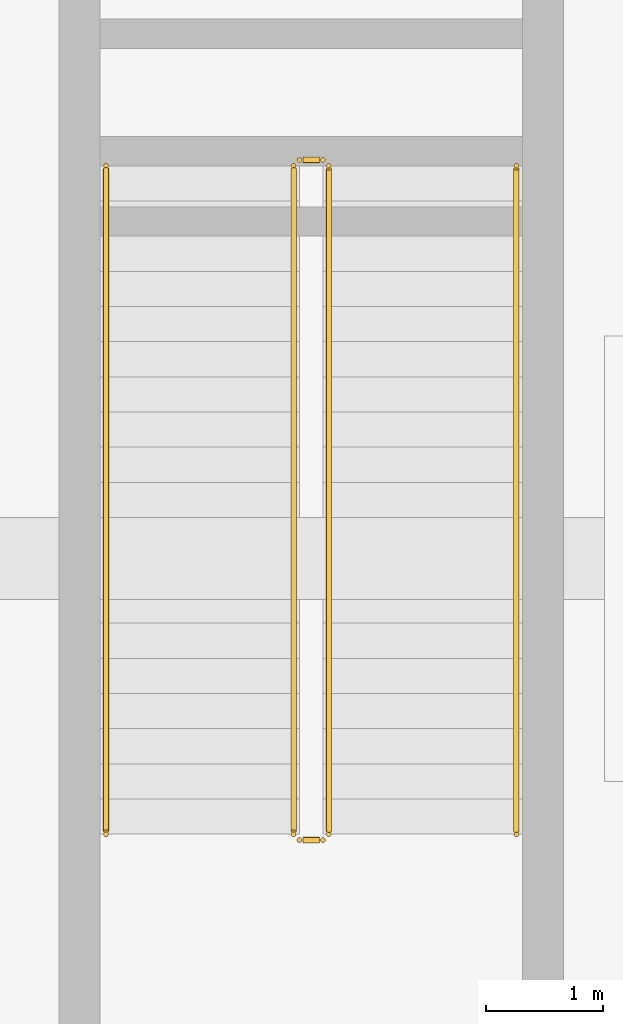
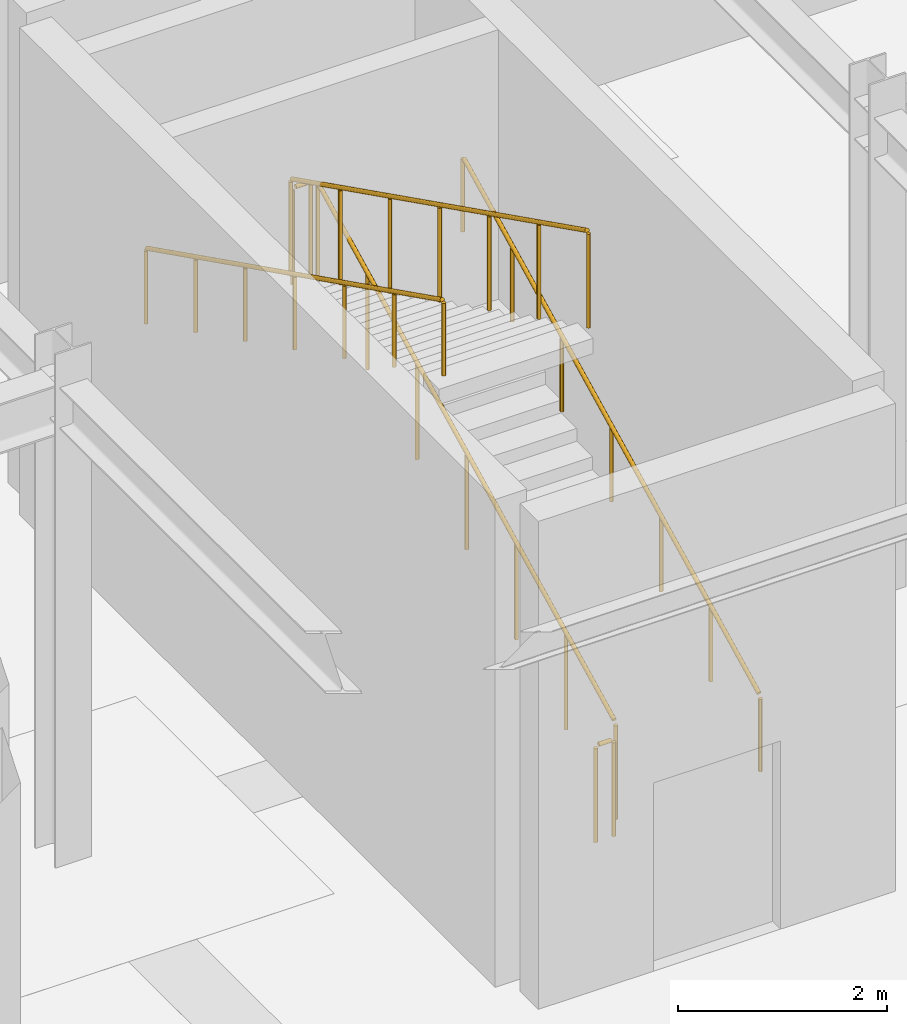
# One storey, part 35 of 36: 6 railings.
"""IFC4 building model written with IfcOpenShell, lengths in metres."""

import ifcopenshell
import ifcopenshell.guid

model = None  # the IFC model being written
_history = None  # IfcOwnerHistory: only IFC2X3 demands one
_inside = {}  # id of a spatial element -> (the spatial element, [elements in it])
_under = {}  # id of a project, library or spatial element -> (it, [spatial elements below it])
_declared = {}  # id of a project -> (the project, [libraries it declares])
_typed = {}  # id of a type object -> (the type object, [elements of that type])
_made_of = {}  # id of a material, layer set ... -> (it, [elements and type objects made of it])


def new_model(schema):
    """Start an empty IFC model of exactly this schema.

    Asked for "IFC4X3", IfcOpenShell would pick the latest addendum, in which some entities
    have other attributes; the version numbers below select the first issue.
    IFC2X3 requires an IfcOwnerHistory on every rooted entity: one is made here for all.
    """
    global model, _history
    if schema == "IFC4X3":
        model = ifcopenshell.file(schema_version=(4, 3, 0, 0))
    else:
        model = ifcopenshell.file(schema=schema)
    _inside.clear()
    _under.clear()
    _declared.clear()
    _typed.clear()
    _made_of.clear()
    _history = None
    if model.schema == "IFC2X3":
        org = make("IfcOrganization", Name="unknown")
        user = make(
            "IfcPersonAndOrganization",
            ThePerson=make("IfcPerson", FamilyName="unknown"),
            TheOrganization=org,
        )
        app = make(
            "IfcApplication",
            ApplicationDeveloper=org,
            Version="unknown",
            ApplicationFullName="unknown",
            ApplicationIdentifier="unknown",
        )
        _history = make(
            "IfcOwnerHistory",
            OwningUser=user,
            OwningApplication=app,
            ChangeAction="ADDED",
            CreationDate=0,
        )
    return model


def make(cls, **values):
    """One entity of the class cls with the attributes given. An attribute that is None is left unset."""
    return model.create_entity(
        cls, **{name: value for name, value in values.items() if value is not None}
    )


def rooted(cls, **values):
    """An entity with a GlobalId (a new one), such as an element, a storey or a relation."""
    return make(cls, GlobalId=ifcopenshell.guid.new(), OwnerHistory=_history, **values)


def si_unit(unit_type, name, prefix=None):
    """IfcSIUnit, for example si_unit("LENGTHUNIT", "METRE", prefix="MILLI")."""
    return make("IfcSIUnit", UnitType=unit_type, Prefix=prefix, Name=name)


def assignment(units):
    """IfcUnitAssignment: the units of a project."""
    return None if units is None else make("IfcUnitAssignment", Units=units)


def point(xyz):
    """IfcCartesianPoint."""
    return None if xyz is None else make("IfcCartesianPoint", Coordinates=xyz)


def direction(xyz):
    """IfcDirection."""
    return None if xyz is None else make("IfcDirection", DirectionRatios=xyz)


def frame(location, z_axis=None, x_axis=None):
    """IfcAxis2Placement3D, a coordinate frame: its origin and axes. An axis left out is left unset."""
    return make(
        "IfcAxis2Placement3D",
        Location=point(location),
        Axis=direction(z_axis),
        RefDirection=direction(x_axis),
    )


def frame_2d(location, x_axis=None):
    """IfcAxis2Placement2D, a coordinate frame in the plane: its origin and x axis."""
    return make(
        "IfcAxis2Placement2D", Location=point(location), RefDirection=direction(x_axis)
    )


def origin():
    """The frame at (0, 0, 0) with its axes left unset."""
    return frame((0.0, 0.0, 0.0))


def origin_2d():
    """The frame at (0, 0) in the plane with its x axis left unset."""
    return frame_2d((0.0, 0.0))


def place(relative_to, where):
    """IfcLocalPlacement: puts the frame where relative to a parent placement (None: the world)."""
    return make(
        "IfcLocalPlacement", PlacementRelTo=relative_to, RelativePlacement=where
    )


def context(
    kind, dimensions, precision=None, world=None, true_north=None, identifier=None
):
    """IfcGeometricRepresentationContext, for example the 3D "Model" context."""
    return make(
        "IfcGeometricRepresentationContext",
        ContextIdentifier=identifier,
        ContextType=kind,
        CoordinateSpaceDimension=dimensions,
        Precision=precision,
        WorldCoordinateSystem=world,
        TrueNorth=true_north,
    )


def subcontext(parent, identifier, kind, view, scale=None):
    """IfcGeometricRepresentationSubContext, for example "Body" below "Model"."""
    return make(
        "IfcGeometricRepresentationSubContext",
        ContextIdentifier=identifier,
        ContextType=kind,
        ParentContext=parent,
        TargetScale=scale,
        TargetView=view,
    )


def project(units=None, contexts=None):
    """IfcProject with its units and contexts."""
    return rooted(
        "IfcProject",
        Name="project",
        RepresentationContexts=contexts,
        UnitsInContext=assignment(units),
    )


def spatial(cls, under=None, at=None, **own):
    """A site, building, storey or space (cls), placed at a placement, below another one or the project."""
    s = rooted(cls, ObjectPlacement=at, **own)
    if under is not None:
        _under.setdefault(under.id(), (under, []))[1].append(s)
    return s


def profile(cls, at=None, kind="AREA", **sizes):
    """A parametric profile (cls). Its sizes go by their IFC names, for example OverallWidth=200.0."""
    return make(cls, ProfileType=kind, Position=at, **sizes)


def circle(**sizes):
    """IfcCircleProfileDef."""
    return profile("IfcCircleProfileDef", **sizes)


def extrude(swept, where, along, depth):
    """IfcExtrudedAreaSolid: the profile swept, set in the frame where, extruded along a direction by depth."""
    return make(
        "IfcExtrudedAreaSolid",
        SweptArea=swept,
        Position=where,
        ExtrudedDirection=direction(along),
        Depth=depth,
    )


def shape(context_of_items, identifier, shape_type, items):
    """IfcShapeRepresentation: the items that make up one representation, for example the "Body"."""
    return make(
        "IfcShapeRepresentation",
        ContextOfItems=context_of_items,
        RepresentationIdentifier=identifier,
        RepresentationType=shape_type,
        Items=items,
    )


def material(Name=None, Category=None):
    """IfcMaterial."""
    return make("IfcMaterial", Name=Name, Category=Category)


def made_of(thing, what):
    """Note that an element or type object is made of a material, layer set ...; save() writes the relation."""
    if what is not None:
        _made_of.setdefault(what.id(), (what, []))[1].append(thing)
    return thing


def type_object(cls, material=None, **own):
    """A type object (cls), such as IfcWallType, which elements share."""
    return made_of(rooted(cls, **own), material)


def element(
    cls,
    number,
    at=None,
    inside=None,
    cuts=None,
    type_object=None,
    material=None,
    context=None,
    identifier="Body",
    shape_type=None,
    held_by="IfcProductDefinitionShape",
    body=None,
    shapes=None,
    **own,
):
    """One element of the class cls, such as IfcWall. Its Tag is "e" and its number.

    at: its placement. inside: the storey or other place that contains it. cuts: it is an
    opening in that element (IfcRelVoidsElement). A single representation is given by context,
    identifier, shape_type and body (its items); several are given by shapes. held_by: the class
    of the entity that holds the representations. save() writes the other relations.
    """
    e = rooted(cls, Tag="e%d" % number, ObjectPlacement=at, **own)
    if body is not None:
        shapes = [shape(context, identifier, shape_type, body)]
    if shapes is not None:
        e.Representation = make(held_by, Representations=shapes)
    if inside is not None:
        _inside.setdefault(inside.id(), (inside, []))[1].append(e)
    if cuts is not None:
        rooted(
            "IfcRelVoidsElement", RelatingBuildingElement=cuts, RelatedOpeningElement=e
        )
    if type_object is not None:
        _typed.setdefault(type_object.id(), (type_object, []))[1].append(e)
    return made_of(e, material)


def aggregate(whole, parts):
    """IfcRelAggregates: a whole, such as a stair, and the parts it consists of."""
    return rooted("IfcRelAggregates", RelatingObject=whole, RelatedObjects=parts)


def save(model, path):
    """Write the relations noted so far, then the file.

    IfcRelAggregates (storeys below a building ...), IfcRelContainedInSpatialStructure (elements
    in a storey), IfcRelDefinesByType, IfcRelAssociatesMaterial and IfcRelDeclares: one each for
    every whole, place, type object, material and project.
    """
    for whole, parts in _under.values():
        aggregate(whole, parts)
    for where, things in _inside.values():
        rooted(
            "IfcRelContainedInSpatialStructure",
            RelatedElements=things,
            RelatingStructure=where,
        )
    for kind, things in _typed.values():
        rooted("IfcRelDefinesByType", RelatedObjects=things, RelatingType=kind)
    for what, things in _made_of.values():
        rooted("IfcRelAssociatesMaterial", RelatedObjects=things, RelatingMaterial=what)
    for by, libraries in _declared.values():
        rooted("IfcRelDeclares", RelatingContext=by, RelatedDefinitions=libraries)
    model.write(path)


model = new_model("IFC4")

# Units and contexts
model_context = context("Model", 3, precision=1e-05, world=origin(), true_north=direction((0.0, 1.0)))
body_context = subcontext(model_context, "Body", "Model", "MODEL_VIEW")
ifc_project = project(units=[si_unit("LENGTHUNIT", "METRE"), si_unit("AREAUNIT", "SQUARE_METRE"), si_unit("VOLUMEUNIT", "CUBIC_METRE"), si_unit("PLANEANGLEUNIT", "RADIAN"), si_unit("MASSUNIT", "GRAM", prefix="KILO")], contexts=[model_context])

# Site, building, storey
site_placement = place(None, origin())
site = spatial("IfcSite", under=ifc_project, at=site_placement, CompositionType="ELEMENT")
building_placement = place(site_placement, origin())
building = spatial("IfcBuilding", under=site, at=building_placement, Name="Haizhuo Lancet Aquarium", CompositionType="ELEMENT")
storey_placement = place(building_placement, frame((0.0, 0.0, -6.0)))
storey = spatial("IfcBuildingStorey", under=building, at=storey_placement, Name="B1", CompositionType="ELEMENT", Elevation=-6.0)

# Railings
ifc_material = material(Name="Steel S355", Category="steel")
railing_type_1 = type_object("IfcRailingType", Name="RL-GRD-1150", PredefinedType="GUARDRAIL", material=ifc_material)
railing_1_placement = place(storey_placement, frame((49.75, 24.64990234375, 0.14990234375)))
element("IfcRailing", 1, at=railing_1_placement, inside=storey, type_object=railing_type_1, Name="B1 ST-10 stair guard 1", PredefinedType="GUARDRAIL", context=body_context, shape_type="SweptSolid", body=[
    extrude(circle(Radius=0.02392578125, at=origin_2d()), frame((0.0, 0.02685546875, 1.13916015625), z_axis=(0.0, 0.894427191, 0.4472135955), x_axis=(-1.0, 0.0, 0.0)), (0.0, 0.0, 1.0), 6.31298828125),
    extrude(circle(Radius=0.02099609375, at=origin_2d()), origin(), (0.0, 0.0, 1.0), 1.097900390625),
    extrude(circle(Radius=0.02099609375, at=origin_2d()), frame((0.0, 0.949951171875, 0.47509765625)), (0.0, 0.0, 1.0), 1.097900390625),
    extrude(circle(Radius=0.02099609375, at=origin_2d()), frame((0.0, 1.900146484375, 0.949951171875)), (0.0, 0.0, 1.0), 1.097900390625),
    extrude(circle(Radius=0.02099609375, at=origin_2d()), frame((0.0, 2.85009765625, 1.425048828125)), (0.0, 0.0, 1.0), 1.097900390625),
    extrude(circle(Radius=0.02099609375, at=origin_2d()), frame((0.0, 3.800048828125, 1.900146484375)), (0.0, 0.0, 1.0), 1.097900390625),
    extrude(circle(Radius=0.02099609375, at=origin_2d()), frame((0.0, 4.750244140625, 2.375)), (0.0, 0.0, 1.0), 1.097900390625),
    extrude(circle(Radius=0.02099609375, at=origin_2d()), frame((0.0, 5.7001953125, 2.85009765625)), (0.0, 0.0, 1.0), 1.097900390625),
])
railing_2_placement = place(storey_placement, frame((49.699951171875, 30.39990234375, 3.0)))
element("IfcRailing", 2, at=railing_2_placement, inside=storey, type_object=railing_type_1, Name="B1 ST-10 stair guard 2", PredefinedType="GUARDRAIL", context=body_context, shape_type="SweptSolid", body=[
    extrude(circle(Radius=0.02392578125, at=origin_2d()), frame((-0.030029296875, 0.0, 1.1259765625), z_axis=(-1.0, 0.0, 0.0), x_axis=(0.0, -1.0, 0.0)), (0.0, 0.0, 1.0), 0.139892578125),
    extrude(circle(Radius=0.02099609375, at=origin_2d()), origin(), (0.0, 0.0, 1.0), 1.097900390625),
    extrude(circle(Radius=0.02099609375, at=origin_2d()), frame((-0.199951171875, 0.0, 0.0)), (0.0, 0.0, 1.0), 1.097900390625),
])
railing_3_placement = place(storey_placement, frame((49.449951171875, 30.35009765625, 3.14990234375)))
element("IfcRailing", 3, at=railing_3_placement, inside=storey, type_object=railing_type_1, Name="B1 ST-10 stair guard 3", PredefinedType="GUARDRAIL", context=body_context, shape_type="SweptSolid", body=[
    extrude(circle(Radius=0.02392578125, at=origin_2d()), frame((0.0, -0.02685546875, 1.13916015625), z_axis=(0.0, -0.894427191, 0.4472135955), x_axis=(1.0, 0.0, 0.0)), (0.0, 0.0, 1.0), 6.31298828125),
    extrude(circle(Radius=0.02099609375, at=origin_2d()), origin(), (0.0, 0.0, 1.0), 1.097900390625),
    extrude(circle(Radius=0.02099609375, at=origin_2d()), frame((0.0, -0.949951171875, 0.47509765625)), (0.0, 0.0, 1.0), 1.097900390625),
    extrude(circle(Radius=0.02099609375, at=origin_2d()), frame((0.0, -1.900146484375, 0.949951171875)), (0.0, 0.0, 1.0), 1.097900390625),
    extrude(circle(Radius=0.02099609375, at=origin_2d()), frame((0.0, -2.85009765625, 1.425048828125)), (0.0, 0.0, 1.0), 1.097900390625),
    extrude(circle(Radius=0.02099609375, at=origin_2d()), frame((0.0, -3.800048828125, 1.900146484375)), (0.0, 0.0, 1.0), 1.097900390625),
    extrude(circle(Radius=0.02099609375, at=origin_2d()), frame((0.0, -4.750244140625, 2.375)), (0.0, 0.0, 1.0), 1.097900390625),
    extrude(circle(Radius=0.02099609375, at=origin_2d()), frame((0.0, -5.7001953125, 2.85009765625)), (0.0, 0.0, 1.0), 1.097900390625),
])
railing_4_placement = place(storey_placement, frame((49.699951171875, 24.60009765625, 0.0)))
element("IfcRailing", 4, at=railing_4_placement, inside=storey, type_object=railing_type_1, Name="B1 ST-10 stair guard 4", PredefinedType="GUARDRAIL", context=body_context, shape_type="SweptSolid", body=[
    extrude(circle(Radius=0.02392578125, at=origin_2d()), frame((-0.030029296875, 0.0, 1.1259765625), z_axis=(-1.0, 0.0, 0.0), x_axis=(0.0, -1.0, 0.0)), (0.0, 0.0, 1.0), 0.139892578125),
    extrude(circle(Radius=0.02099609375, at=origin_2d()), origin(), (0.0, 0.0, 1.0), 1.097900390625),
    extrude(circle(Radius=0.02099609375, at=origin_2d()), frame((-0.199951171875, 0.0, 0.0)), (0.0, 0.0, 1.0), 1.097900390625),
])
railing_type_2 = type_object("IfcRailingType", Name="RL-HDR-900", PredefinedType="HANDRAIL", material=ifc_material)
railing_5_placement = place(storey_placement, frame((51.35009765625, 24.64990234375, 0.14990234375)))
element("IfcRailing", 5, at=railing_5_placement, inside=storey, type_object=railing_type_2, Name="B1 ST-10 pitch handrail 1", PredefinedType="HANDRAIL", context=body_context, shape_type="SweptSolid", body=[
    extrude(circle(Radius=0.02392578125, at=origin_2d()), frame((0.0, 0.02685546875, 0.88916015625), z_axis=(0.0, 0.894427191, 0.4472135955), x_axis=(-1.0, 0.0, 0.0)), (0.0, 0.0, 1.0), 6.31298828125),
    extrude(circle(Radius=0.02099609375, at=origin_2d()), origin(), (0.0, 0.0, 1.0), 0.847900390625),
    extrude(circle(Radius=0.02099609375, at=origin_2d()), frame((0.0, 0.949951171875, 0.47509765625)), (0.0, 0.0, 1.0), 0.847900390625),
    extrude(circle(Radius=0.02099609375, at=origin_2d()), frame((0.0, 1.900146484375, 0.949951171875)), (0.0, 0.0, 1.0), 0.847900390625),
    extrude(circle(Radius=0.02099609375, at=origin_2d()), frame((0.0, 2.85009765625, 1.425048828125)), (0.0, 0.0, 1.0), 0.847900390625),
    extrude(circle(Radius=0.02099609375, at=origin_2d()), frame((0.0, 3.800048828125, 1.900146484375)), (0.0, 0.0, 1.0), 0.847900390625),
    extrude(circle(Radius=0.02099609375, at=origin_2d()), frame((0.0, 4.750244140625, 2.375)), (0.0, 0.0, 1.0), 0.847900390625),
    extrude(circle(Radius=0.02099609375, at=origin_2d()), frame((0.0, 5.7001953125, 2.85009765625)), (0.0, 0.0, 1.0), 0.847900390625),
])
railing_6_placement = place(storey_placement, frame((47.85009765625, 30.35009765625, 3.14990234375)))
element("IfcRailing", 6, at=railing_6_placement, inside=storey, type_object=railing_type_2, Name="B1 ST-10 pitch handrail 2", PredefinedType="HANDRAIL", context=body_context, shape_type="SweptSolid", body=[
    extrude(circle(Radius=0.02392578125, at=origin_2d()), frame((0.0, -0.02685546875, 0.88916015625), z_axis=(0.0, -0.894427191, 0.4472135955), x_axis=(1.0, 0.0, 0.0)), (0.0, 0.0, 1.0), 6.31298828125),
    extrude(circle(Radius=0.02099609375, at=origin_2d()), origin(), (0.0, 0.0, 1.0), 0.847900390625),
    extrude(circle(Radius=0.02099609375, at=origin_2d()), frame((0.0, -0.949951171875, 0.47509765625)), (0.0, 0.0, 1.0), 0.847900390625),
    extrude(circle(Radius=0.02099609375, at=origin_2d()), frame((0.0, -1.900146484375, 0.949951171875)), (0.0, 0.0, 1.0), 0.847900390625),
    extrude(circle(Radius=0.02099609375, at=origin_2d()), frame((0.0, -2.85009765625, 1.425048828125)), (0.0, 0.0, 1.0), 0.847900390625),
    extrude(circle(Radius=0.02099609375, at=origin_2d()), frame((0.0, -3.800048828125, 1.900146484375)), (0.0, 0.0, 1.0), 0.847900390625),
    extrude(circle(Radius=0.02099609375, at=origin_2d()), frame((0.0, -4.750244140625, 2.375)), (0.0, 0.0, 1.0), 0.847900390625),
    extrude(circle(Radius=0.02099609375, at=origin_2d()), frame((0.0, -5.7001953125, 2.85009765625)), (0.0, 0.0, 1.0), 0.847900390625),
])

save(model, "model.ifc")
